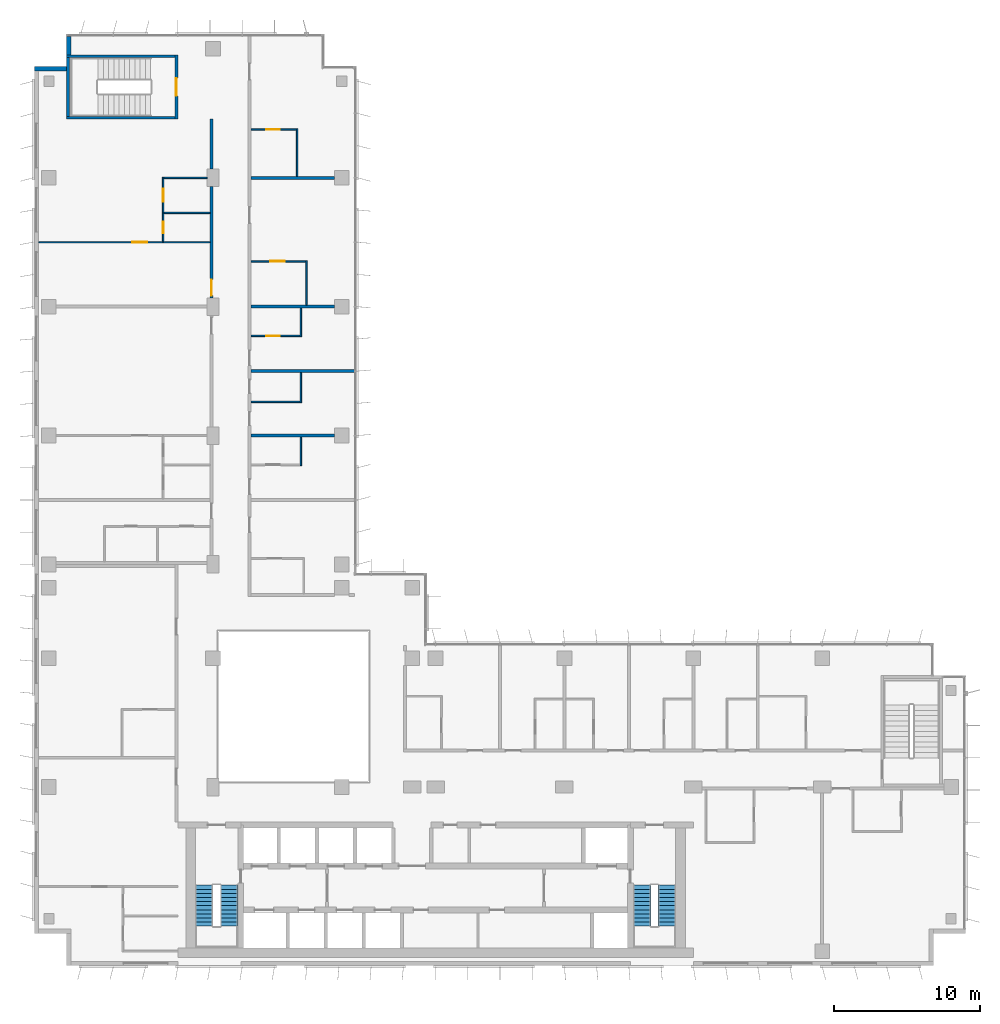
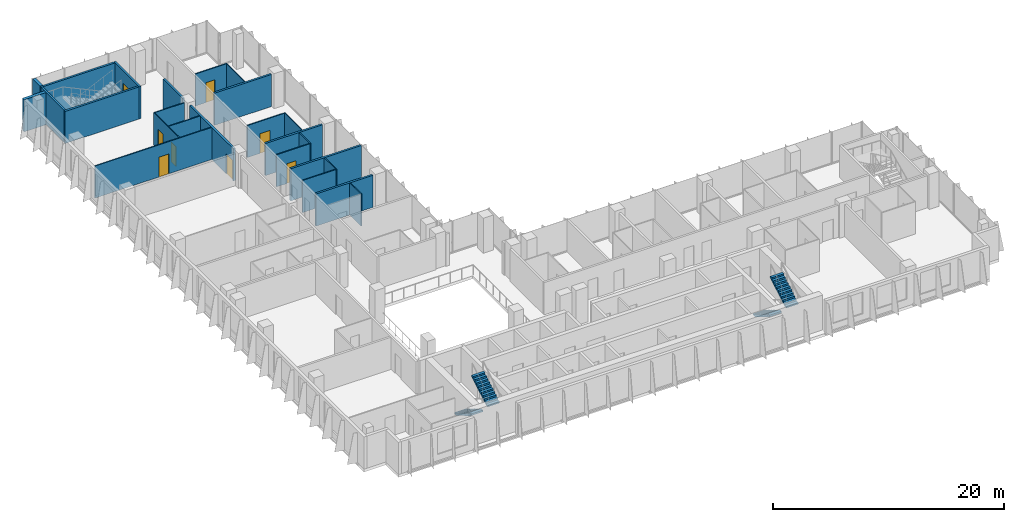
# One storey, part 17 of 21: 25 walls, 8 doors, 4 stair flights, 8 openings, 2 elements without a shape of their own.
"""IFC4 building model written with IfcOpenShell, lengths in metres."""

from ifc_helpers import new_model, si_unit, direction, frame, frame_2d, origin, place, context, subcontext, project, spatial, polyline, rectangle, outline, extrude, material, layer, layer_set, type_object, element, fill, aggregate, save


model = new_model("IFC4")

# Units and contexts
model_context = context("Model", 3, precision=1e-05, world=origin(), true_north=direction((0.0, 1.0)))
body_context = subcontext(model_context, "Body", "Model", "MODEL_VIEW")
ifc_project = project(units=[si_unit("LENGTHUNIT", "METRE"), si_unit("AREAUNIT", "SQUARE_METRE"), si_unit("VOLUMEUNIT", "CUBIC_METRE"), si_unit("PLANEANGLEUNIT", "RADIAN"), si_unit("MASSUNIT", "GRAM", prefix="KILO")], contexts=[model_context])

# Site, building, storey
site_placement = place(None, origin())
site = spatial("IfcSite", under=ifc_project, at=site_placement, CompositionType="ELEMENT")
building_placement = place(site_placement, origin())
building = spatial("IfcBuilding", under=site, at=building_placement, Name="Kemantara Hotel Tower", CompositionType="ELEMENT")
storey_placement = place(building_placement, frame((0.0, 0.0, 167.89990234375)))
storey = spatial("IfcBuildingStorey", under=building, at=storey_placement, Name="L41", CompositionType="ELEMENT", Elevation=167.89990234375)

# Walls
ifc_material_1 = material(Name="Bronze anodised aluminium cladding on insulated steel stud wall", Category="steel")
ifc_layer_1 = layer(ifc_material_1, 0.300048828125)
ifc_layer_set_1 = layer_set([ifc_layer_1], Name="Bronze anodised aluminium cladding on insulated steel stud wall")
wall_type_1 = type_object("IfcWallType", Name="BRONZE METAL-CLAD EXTERNAL WALL 300", PredefinedType="STANDARD", material=ifc_layer_set_1)
wall_1_placement = place(storey_placement, frame((2.35009765625, 63.449951171875, 0.0), z_axis=(0.0, 0.0, 1.0), x_axis=(0.0, -1.0, 0.0)))
element("IfcWall", 1, at=wall_1_placement, inside=storey, type_object=wall_type_1, Name="EXTERNAL WALL L41 T3-R03", PredefinedType="STANDARD", context=body_context, shape_type="SweptSolid", body=[
    extrude(rectangle(XDim=1.25, YDim=0.300048828125, at=frame_2d((0.625, 0.0))), origin(), (0.0, 0.0, 1.0), 3.400146484375),
])
wall_2_placement = place(storey_placement, frame((2.199951171875, 61.25, 0.0), z_axis=(0.0, 0.0, 1.0), x_axis=(-1.0, 0.0, 0.0)))
element("IfcWall", 2, at=wall_2_placement, inside=storey, type_object=wall_type_1, Name="EXTERNAL WALL L41 T3-R04", PredefinedType="STANDARD", context=body_context, shape_type="SweptSolid", body=[
    extrude(rectangle(XDim=2.199951171875, YDim=0.300048828125, at=frame_2d((1.10009765625, 0.0))), origin(), (0.0, 0.0, 1.0), 3.400146484375),
])

# Wall, opening, door
ifc_material_2 = material(Name="Gypsum board partition, steel studs and mineral wool, 200 mm", Category="steel")
ifc_layer_2 = layer(ifc_material_2, 0.199951171875)
ifc_layer_set_2 = layer_set([ifc_layer_2], Name="Gypsum board partition, steel studs and mineral wool, 200 mm")
wall_type_2 = type_object("IfcWallType", Name="CORRIDOR WALL 200", PredefinedType="PARTITIONING", material=ifc_layer_set_2)
wall_3_placement = place(storey_placement, frame((12.10009765625, 45.60009765625, 0.0), z_axis=(0.0, 0.0, 1.0), x_axis=(0.0, 1.0, 0.0)))
wall_3 = element("IfcWall", 3, at=wall_3_placement, inside=storey, type_object=wall_type_2, Name="CORRIDOR WALL 200 018", PredefinedType="PARTITIONING", context=body_context, shape_type="SweptSolid", body=[
    extrude(rectangle(XDim=7.599853515625, YDim=0.199951171875, at=frame_2d((3.7998046875, 0.0))), origin(), (0.0, 0.0, 1.0), 3.400146484375),
])
opening_1_placement = place(wall_3_placement, frame((0.14990234375, 0.0, 0.0)))
opening_1 = element("IfcOpeningElement", 4, at=opening_1_placement, cuts=wall_3, Name="Opening F19-030", PredefinedType="OPENING", context=body_context, shape_type="SweptSolid", body=[
    extrude(rectangle(XDim=1.10009765625, YDim=2.10009765625, at=frame_2d((0.550048828125, 1.050048828125))), frame((0.0, 0.10986328125, 0.0), z_axis=(0.0, -1.0, 0.0), x_axis=(1.0, 0.0, 0.0)), (0.0, 0.0, 1.0), 0.219970703125),
])
ifc_material_3 = material(Name="Hardwood veneer door leaf with steel frame", Category="steel")
door_type_1 = type_object("IfcDoorType", Name="SUITE ENTRANCE DOOR 1100 X 2100 FD30S", OperationType="NOTDEFINED", PredefinedType="DOOR", material=ifc_material_3)
door_1_placement = place(opening_1_placement, origin())
door_1 = element("IfcDoor", 5, at=door_1_placement, inside=storey, type_object=door_type_1, Name="SUITE ENTRANCE DOOR F19-030", OperationType="SINGLE_SWING_LEFT", OverallHeight=2.10009765625, OverallWidth=1.10009765625, PredefinedType="DOOR", context=body_context, shape_type="SweptSolid", body=[
    extrude(rectangle(XDim=1.10009765625, YDim=2.10009765625, at=frame_2d((0.550048828125, 1.050048828125))), frame((0.0, 0.02490234375, 0.0), z_axis=(0.0, -1.0, 0.0), x_axis=(1.0, 0.0, 0.0)), (0.0, 0.0, 1.0), 0.050048828125),
])
fill(opening_1, door_1)

# Wall
wall_4_placement = place(storey_placement, frame((12.10009765625, 54.400146484375, 0.0), z_axis=(0.0, 0.0, 1.0), x_axis=(0.0, 1.0, 0.0)))
element("IfcWall", 6, at=wall_4_placement, inside=storey, type_object=wall_type_2, Name="CORRIDOR WALL 200 019", PredefinedType="PARTITIONING", context=body_context, shape_type="SweptSolid", body=[
    extrude(rectangle(XDim=3.39990234375, YDim=0.199951171875, at=frame_2d((1.699951171875, 0.0))), origin(), (0.0, 0.0, 1.0), 3.400146484375),
])

# Wall, opening, door
ifc_material_4 = material(Name="Concrete fc 40 MPa", Category="concrete")
ifc_layer_3 = layer(ifc_material_4, 0.199951171875)
ifc_layer_set_3 = layer_set([ifc_layer_3], Name="Concrete fc 40 MPa")
wall_type_3 = type_object("IfcWallType", Name="Concrete stair wall 200 mm", PredefinedType="SHEAR", material=ifc_layer_set_3)
wall_5_placement = place(storey_placement, frame((9.699951171875, 57.800048828125, 0.0), z_axis=(0.0, 0.0, 1.0), x_axis=(0.0, 1.0, 0.0)))
wall_5 = element("IfcWall", 7, at=wall_5_placement, inside=storey, type_object=wall_type_3, Name="Stair ST4 enclosure wall with door", PredefinedType="SHEAR", context=body_context, shape_type="SweptSolid", body=[
    extrude(rectangle(XDim=4.39990234375, YDim=0.199951171875, at=frame_2d((2.199951171875, 0.0))), origin(), (0.0, 0.0, 1.0), 3.400146484375),
])
opening_2_placement = place(wall_5_placement, frame((1.60009765625, 0.0, 0.0)))
opening_2 = element("IfcOpeningElement", 8, at=opening_2_placement, cuts=wall_5, Name="Opening ST4-C", PredefinedType="OPENING", context=body_context, shape_type="SweptSolid", body=[
    extrude(rectangle(XDim=1.199951171875, YDim=2.10009765625, at=frame_2d((0.60009765625, 1.050048828125))), frame((0.0, 0.10986328125, 0.0), z_axis=(0.0, -1.0, 0.0), x_axis=(1.0, 0.0, 0.0)), (0.0, 0.0, 1.0), 0.219970703125),
])
ifc_material_5 = material(Name="Steel fire door", Category="steel")
door_type_2 = type_object("IfcDoorType", Name="Fire door FD90 1200 x 2100", OperationType="NOTDEFINED", PredefinedType="DOOR", material=ifc_material_5)
door_2_placement = place(opening_2_placement, origin())
door_2 = element("IfcDoor", 9, at=door_2_placement, inside=storey, type_object=door_type_2, Name="Stair ST4 door", OperationType="SINGLE_SWING_RIGHT", OverallHeight=2.10009765625, OverallWidth=1.199951171875, PredefinedType="DOOR", context=body_context, shape_type="SweptSolid", body=[
    extrude(rectangle(XDim=1.199951171875, YDim=2.10009765625, at=frame_2d((0.60009765625, 1.050048828125))), frame((0.0, 0.02490234375, 0.0), z_axis=(0.0, -1.0, 0.0), x_axis=(1.0, 0.0, 0.0)), (0.0, 0.0, 1.0), 0.050048828125),
])
fill(opening_2, door_2)

# Walls
for number, where, z_axis, x_axis, name in (
    (10, (2.199951171875, 62.10009765625, 0.0), (0.0, 0.0, 1.0), (1.0, 0.0, 0.0), "Stair ST4 enclosure wall N"),
    (11, (2.199951171875, 57.89990234375, 0.0), (0.0, 0.0, 1.0), (1.0, 0.0, 0.0), "Stair ST4 enclosure wall S"),
):
    element("IfcWall", number, at=place(storey_placement, frame(where, z_axis=z_axis, x_axis=x_axis)), inside=storey, type_object=wall_type_3, Name=name, PredefinedType="SHEAR", context=body_context, shape_type="SweptSolid", body=[
        extrude(rectangle(XDim=7.400146484375, YDim=0.199951171875, at=frame_2d((3.7001953125, 0.0))), origin(), (0.0, 0.0, 1.0), 3.400146484375),
    ])
wall_6_placement = place(storey_placement, frame((2.300048828125, 58.0, 0.0), z_axis=(0.0, 0.0, 1.0), x_axis=(0.0, 1.0, 0.0)))
element("IfcWall", 12, at=wall_6_placement, inside=storey, type_object=wall_type_3, Name="Stair ST4 enclosure wall W", PredefinedType="SHEAR", context=body_context, shape_type="SweptSolid", body=[
    extrude(rectangle(XDim=4.0, YDim=0.199951171875, at=frame_2d((2.0, 0.0))), origin(), (0.0, 0.0, 1.0), 3.400146484375),
])
ifc_layer_4 = layer(ifc_material_2, 0.199951171875)
ifc_layer_set_4 = layer_set([ifc_layer_4], Name="Gypsum board partition, steel studs and mineral wool, 200 mm")
wall_type_4 = type_object("IfcWallType", Name="GUEST ROOM PARTY WALL 200", PredefinedType="PARTITIONING", material=ifc_layer_set_4)
for number, where, z_axis, x_axis, name in (
    (13, (14.800048828125, 45.0, 0.0), (0.0, 0.0, 1.0), (1.0, 0.0, 0.0), "GUEST ROOM PARTY WALL 200 024"),
    (14, (14.800048828125, 36.199951171875, 0.0), (0.0, 0.0, 1.0), (1.0, 0.0, 0.0), "GUEST ROOM PARTY WALL 200 028"),
):
    element("IfcWall", number, at=place(storey_placement, frame(where, z_axis=z_axis, x_axis=x_axis)), inside=storey, type_object=wall_type_4, Name=name, PredefinedType="PARTITIONING", context=body_context, shape_type="SweptSolid", body=[
        extrude(rectangle(XDim=5.699951171875, YDim=0.199951171875, at=frame_2d((2.85009765625, 0.0))), origin(), (0.0, 0.0, 1.0), 3.400146484375),
    ])
wall_7_placement = place(storey_placement, frame((14.800048828125, 40.60009765625, 0.0), z_axis=(0.0, 0.0, 1.0), x_axis=(1.0, 0.0, 0.0)))
element("IfcWall", 15, at=wall_7_placement, inside=storey, type_object=wall_type_4, Name="GUEST ROOM PARTY WALL 200 029", PredefinedType="PARTITIONING", context=body_context, shape_type="SweptSolid", body=[
    extrude(rectangle(XDim=7.070068359375, YDim=0.199951171875, at=frame_2d((3.53515625, 0.0))), origin(), (0.0, 0.0, 1.0), 3.400146484375),
])
wall_8_placement = place(storey_placement, frame((14.800048828125, 53.800048828125, 0.0), z_axis=(0.0, 0.0, 1.0), x_axis=(1.0, 0.0, 0.0)))
element("IfcWall", 16, at=wall_8_placement, inside=storey, type_object=wall_type_4, Name="GUEST ROOM PARTY WALL 200 030", PredefinedType="PARTITIONING", context=body_context, shape_type="SweptSolid", body=[
    extrude(rectangle(XDim=5.699951171875, YDim=0.199951171875, at=frame_2d((2.85009765625, 0.0))), origin(), (0.0, 0.0, 1.0), 3.400146484375),
])

# Wall, openings, doors
ifc_material_6 = material(Name="Gypsum board partition on steel studs, 100 mm", Category="steel")
ifc_layer_5 = layer(ifc_material_6, 0.10009765625)
ifc_layer_set_5 = layer_set([ifc_layer_5], Name="Gypsum board partition on steel studs, 100 mm")
wall_type_5 = type_object("IfcWallType", Name="ROOM PARTITION 100", PredefinedType="PARTITIONING", material=ifc_layer_set_5)
wall_9_placement = place(storey_placement, frame((8.800048828125, 53.85009765625, 0.0), z_axis=(0.0, 0.0, 1.0), x_axis=(0.0, -1.0, 0.0)))
wall_9 = element("IfcWall", 17, at=wall_9_placement, inside=storey, type_object=wall_type_5, Name="ROOM PARTITION 100 059", PredefinedType="PARTITIONING", context=body_context, shape_type="SweptSolid", body=[
    extrude(rectangle(XDim=4.400146484375, YDim=0.10009765625, at=frame_2d((2.2001953125, 0.0))), origin(), (0.0, 0.0, 1.0), 3.400146484375),
])
opening_3_placement = place(wall_9_placement, frame((0.800048828125, 0.0, 0.0)))
opening_3 = element("IfcOpeningElement", 18, at=opening_3_placement, cuts=wall_9, Name="Opening F19-032", PredefinedType="OPENING", context=body_context, shape_type="SweptSolid", body=[
    extrude(rectangle(XDim=0.89990234375, YDim=2.10009765625, at=frame_2d((0.449951171875, 1.050048828125))), frame((0.0, 0.06005859375, 0.0), z_axis=(0.0, -1.0, 0.0), x_axis=(1.0, 0.0, 0.0)), (0.0, 0.0, 1.0), 0.1201171875),
])
opening_4_placement = place(wall_9_placement, frame((3.050048828125, 0.0, 0.0)))
opening_4 = element("IfcOpeningElement", 19, at=opening_4_placement, cuts=wall_9, Name="Opening F19-033", PredefinedType="OPENING", context=body_context, shape_type="SweptSolid", body=[
    extrude(rectangle(XDim=0.800048828125, YDim=2.10009765625, at=frame_2d((0.39990234375, 1.050048828125))), frame((0.0, 0.06005859375, 0.0), z_axis=(0.0, -1.0, 0.0), x_axis=(1.0, 0.0, 0.0)), (0.0, 0.0, 1.0), 0.1201171875),
])
door_type_3 = type_object("IfcDoorType", Name="BATHROOM DOOR 900 X 2100", OperationType="NOTDEFINED", PredefinedType="DOOR", material=ifc_material_3)
door_3_placement = place(opening_3_placement, origin())
door_3 = element("IfcDoor", 20, at=door_3_placement, inside=storey, type_object=door_type_3, Name="BATHROOM DOOR F19-032", OperationType="SINGLE_SWING_RIGHT", OverallHeight=2.10009765625, OverallWidth=0.89990234375, PredefinedType="DOOR", context=body_context, shape_type="SweptSolid", body=[
    extrude(rectangle(XDim=0.89990234375, YDim=2.10009765625, at=frame_2d((0.449951171875, 1.050048828125))), frame((0.0, 0.02490234375, 0.0), z_axis=(0.0, -1.0, 0.0), x_axis=(1.0, 0.0, 0.0)), (0.0, 0.0, 1.0), 0.050048828125),
])
fill(opening_3, door_3)
door_type_4 = type_object("IfcDoorType", Name="WARDROBE DOOR 800 X 2100", OperationType="NOTDEFINED", PredefinedType="DOOR", material=ifc_material_3)
door_4_placement = place(opening_4_placement, origin())
door_4 = element("IfcDoor", 21, at=door_4_placement, inside=storey, type_object=door_type_4, Name="WARDROBE DOOR F19-033", OperationType="SINGLE_SWING_RIGHT", OverallHeight=2.10009765625, OverallWidth=0.800048828125, PredefinedType="DOOR", context=body_context, shape_type="SweptSolid", body=[
    extrude(rectangle(XDim=0.800048828125, YDim=2.10009765625, at=frame_2d((0.39990234375, 1.050048828125))), frame((0.0, 0.02490234375, 0.0), z_axis=(0.0, -1.0, 0.0), x_axis=(1.0, 0.0, 0.0)), (0.0, 0.0, 1.0), 0.050048828125),
])
fill(opening_4, door_4)

# Wall, opening, door
wall_10_placement = place(storey_placement, frame((0.31005859375, 49.39990234375, 0.0), z_axis=(0.0, 0.0, 1.0), x_axis=(1.0, 0.0, 0.0)))
wall_10 = element("IfcWall", 22, at=wall_10_placement, inside=storey, type_object=wall_type_5, Name="ROOM PARTITION 100 063", PredefinedType="PARTITIONING", context=body_context, shape_type="SweptSolid", body=[
    extrude(rectangle(XDim=11.68994140625, YDim=0.10009765625, at=frame_2d((5.844970703125, 0.0))), origin(), (0.0, 0.0, 1.0), 3.400146484375),
])
opening_5_placement = place(wall_10_placement, frame((6.389892578125, 0.0, 0.0)))
opening_5 = element("IfcOpeningElement", 23, at=opening_5_placement, cuts=wall_10, Name="Opening F19-031", PredefinedType="OPENING", context=body_context, shape_type="SweptSolid", body=[
    extrude(rectangle(XDim=1.0, YDim=2.10009765625, at=frame_2d((0.5, 1.050048828125))), frame((0.0, 0.06005859375, 0.0), z_axis=(0.0, -1.0, 0.0), x_axis=(1.0, 0.0, 0.0)), (0.0, 0.0, 1.0), 0.1201171875),
])
door_type_5 = type_object("IfcDoorType", Name="INTERNAL DOOR 1000 X 2100", OperationType="NOTDEFINED", PredefinedType="DOOR", material=ifc_material_3)
door_5_placement = place(opening_5_placement, origin())
door_5 = element("IfcDoor", 24, at=door_5_placement, inside=storey, type_object=door_type_5, Name="INTERNAL DOOR F19-031", OperationType="SINGLE_SWING_RIGHT", OverallHeight=2.10009765625, OverallWidth=1.0, PredefinedType="DOOR", context=body_context, shape_type="SweptSolid", body=[
    extrude(rectangle(XDim=1.0, YDim=2.10009765625, at=frame_2d((0.5, 1.050048828125))), frame((0.0, 0.02490234375, 0.0), z_axis=(0.0, -1.0, 0.0), x_axis=(1.0, 0.0, 0.0)), (0.0, 0.0, 1.0), 0.050048828125),
])
fill(opening_5, door_5)

# Walls
wall_11_placement = place(storey_placement, frame((8.85009765625, 53.800048828125, 0.0), z_axis=(0.0, 0.0, 1.0), x_axis=(1.0, 0.0, 0.0)))
element("IfcWall", 25, at=wall_11_placement, inside=storey, type_object=wall_type_5, Name="ROOM PARTITION 100 064", PredefinedType="PARTITIONING", context=body_context, shape_type="SweptSolid", body=[
    extrude(rectangle(XDim=2.94970703125, YDim=0.10009765625, at=frame_2d((1.474853515625, 0.0))), origin(), (0.0, 0.0, 1.0), 3.400146484375),
])
wall_12_placement = place(storey_placement, frame((8.85009765625, 51.39990234375, 0.0), z_axis=(0.0, 0.0, 1.0), x_axis=(1.0, 0.0, 0.0)))
element("IfcWall", 26, at=wall_12_placement, inside=storey, type_object=wall_type_5, Name="ROOM PARTITION 100 065", PredefinedType="PARTITIONING", context=body_context, shape_type="SweptSolid", body=[
    extrude(rectangle(XDim=3.14990234375, YDim=0.10009765625, at=frame_2d((1.574951171875, 0.0))), origin(), (0.0, 0.0, 1.0), 3.400146484375),
])
wall_13_placement = place(storey_placement, frame((18.199951171875, 34.14990234375, 0.0), z_axis=(0.0, 0.0, 1.0), x_axis=(0.0, 1.0, 0.0)))
element("IfcWall", 27, at=wall_13_placement, inside=storey, type_object=wall_type_5, Name="ROOM PARTITION 100 068", PredefinedType="PARTITIONING", context=body_context, shape_type="SweptSolid", body=[
    extrude(rectangle(XDim=1.9501953125, YDim=0.10009765625, at=frame_2d((0.97509765625, 0.0))), origin(), (0.0, 0.0, 1.0), 3.400146484375),
])
wall_14_placement = place(storey_placement, frame((18.199951171875, 38.449951171875, 0.0), z_axis=(0.0, 0.0, 1.0), x_axis=(0.0, 1.0, 0.0)))
element("IfcWall", 28, at=wall_14_placement, inside=storey, type_object=wall_type_5, Name="ROOM PARTITION 100 069", PredefinedType="PARTITIONING", context=body_context, shape_type="SweptSolid", body=[
    extrude(rectangle(XDim=2.050048828125, YDim=0.10009765625, at=frame_2d((1.02490234375, 0.0))), origin(), (0.0, 0.0, 1.0), 3.400146484375),
])
wall_15_placement = place(storey_placement, frame((18.199951171875, 42.949951171875, 0.0), z_axis=(0.0, 0.0, 1.0), x_axis=(0.0, 1.0, 0.0)))
element("IfcWall", 29, at=wall_15_placement, inside=storey, type_object=wall_type_5, Name="ROOM PARTITION 100 070", PredefinedType="PARTITIONING", context=body_context, shape_type="SweptSolid", body=[
    extrude(rectangle(XDim=1.949951171875, YDim=0.10009765625, at=frame_2d((0.97509765625, 0.0))), origin(), (0.0, 0.0, 1.0), 3.400146484375),
])
wall_16_placement = place(storey_placement, frame((14.800048828125, 38.5, 0.0), z_axis=(0.0, 0.0, 1.0), x_axis=(1.0, 0.0, 0.0)))
element("IfcWall", 30, at=wall_16_placement, inside=storey, type_object=wall_type_5, Name="ROOM PARTITION 100 071", PredefinedType="PARTITIONING", context=body_context, shape_type="SweptSolid", body=[
    extrude(rectangle(XDim=3.349853515625, YDim=0.10009765625, at=frame_2d((1.6748046875, 0.0))), origin(), (0.0, 0.0, 1.0), 3.400146484375),
])

# Wall, opening, door
wall_17_placement = place(storey_placement, frame((14.800048828125, 43.0, 0.0), z_axis=(0.0, 0.0, 1.0), x_axis=(1.0, 0.0, 0.0)))
wall_17 = element("IfcWall", 31, at=wall_17_placement, inside=storey, type_object=wall_type_5, Name="ROOM PARTITION 100 072", PredefinedType="PARTITIONING", context=body_context, shape_type="SweptSolid", body=[
    extrude(rectangle(XDim=3.349853515625, YDim=0.10009765625, at=frame_2d((1.6748046875, 0.0))), origin(), (0.0, 0.0, 1.0), 3.400146484375),
])
opening_6_placement = place(wall_17_placement, frame((1.050048828125, 0.0, 0.0)))
opening_6 = element("IfcOpeningElement", 32, at=opening_6_placement, cuts=wall_17, Name="Opening F19-041", PredefinedType="OPENING", context=body_context, shape_type="SweptSolid", body=[
    extrude(rectangle(XDim=0.89990234375, YDim=2.10009765625, at=frame_2d((0.449951171875, 1.050048828125))), frame((0.0, 0.06005859375, 0.0), z_axis=(0.0, -1.0, 0.0), x_axis=(1.0, 0.0, 0.0)), (0.0, 0.0, 1.0), 0.1201171875),
])
door_6_placement = place(opening_6_placement, origin())
door_6 = element("IfcDoor", 33, at=door_6_placement, inside=storey, type_object=door_type_3, Name="BATHROOM DOOR F19-041", OperationType="SINGLE_SWING_LEFT", OverallHeight=2.10009765625, OverallWidth=0.89990234375, PredefinedType="DOOR", context=body_context, shape_type="SweptSolid", body=[
    extrude(rectangle(XDim=0.89990234375, YDim=2.10009765625, at=frame_2d((0.449951171875, 1.050048828125))), frame((0.0, 0.02490234375, 0.0), z_axis=(0.0, -1.0, 0.0), x_axis=(1.0, 0.0, 0.0)), (0.0, 0.0, 1.0), 0.050048828125),
])
fill(opening_6, door_6)

# Wall
wall_18_placement = place(storey_placement, frame((18.60009765625, 45.10009765625, 0.0), z_axis=(0.0, 0.0, 1.0), x_axis=(0.0, 1.0, 0.0)))
element("IfcWall", 34, at=wall_18_placement, inside=storey, type_object=wall_type_5, Name="ROOM PARTITION 100 073", PredefinedType="PARTITIONING", context=body_context, shape_type="SweptSolid", body=[
    extrude(rectangle(XDim=3.0498046875, YDim=0.10009765625, at=frame_2d((1.52490234375, 0.0))), origin(), (0.0, 0.0, 1.0), 3.400146484375),
])

# Wall, opening, door
wall_19_placement = place(storey_placement, frame((18.550048828125, 48.10009765625, 0.0), z_axis=(0.0, 0.0, 1.0), x_axis=(-1.0, 0.0, 0.0)))
wall_19 = element("IfcWall", 35, at=wall_19_placement, inside=storey, type_object=wall_type_5, Name="ROOM PARTITION 100 074", PredefinedType="PARTITIONING", context=body_context, shape_type="SweptSolid", body=[
    extrude(rectangle(XDim=3.75, YDim=0.10009765625, at=frame_2d((1.875, 0.0))), origin(), (0.0, 0.0, 1.0), 3.400146484375),
])
opening_7_placement = place(wall_19_placement, frame((1.449951171875, 0.0, 0.0)))
opening_7 = element("IfcOpeningElement", 36, at=opening_7_placement, cuts=wall_19, Name="Opening F19-043", PredefinedType="OPENING", context=body_context, shape_type="SweptSolid", body=[
    extrude(rectangle(XDim=1.0, YDim=2.10009765625, at=frame_2d((0.5, 1.050048828125))), frame((0.0, 0.06005859375, 0.0), z_axis=(0.0, -1.0, 0.0), x_axis=(1.0, 0.0, 0.0)), (0.0, 0.0, 1.0), 0.1201171875),
])
door_type_6 = type_object("IfcDoorType", Name="BATHROOM DOOR 1000 X 2100", OperationType="NOTDEFINED", PredefinedType="DOOR", material=ifc_material_3)
door_7_placement = place(opening_7_placement, origin())
door_7 = element("IfcDoor", 37, at=door_7_placement, inside=storey, type_object=door_type_6, Name="BATHROOM DOOR F19-043", OperationType="SINGLE_SWING_RIGHT", OverallHeight=2.10009765625, OverallWidth=1.0, PredefinedType="DOOR", context=body_context, shape_type="SweptSolid", body=[
    extrude(rectangle(XDim=1.0, YDim=2.10009765625, at=frame_2d((0.5, 1.050048828125))), frame((0.0, 0.02490234375, 0.0), z_axis=(0.0, -1.0, 0.0), x_axis=(1.0, 0.0, 0.0)), (0.0, 0.0, 1.0), 0.050048828125),
])
fill(opening_7, door_7)

# Wall
wall_20_placement = place(storey_placement, frame((17.949951171875, 53.89990234375, 0.0), z_axis=(0.0, 0.0, 1.0), x_axis=(0.0, 1.0, 0.0)))
element("IfcWall", 38, at=wall_20_placement, inside=storey, type_object=wall_type_5, Name="ROOM PARTITION 100 075", PredefinedType="PARTITIONING", context=body_context, shape_type="SweptSolid", body=[
    extrude(rectangle(XDim=3.25, YDim=0.10009765625, at=frame_2d((1.625, 0.0))), origin(), (0.0, 0.0, 1.0), 3.400146484375),
])

# Wall, opening, door
wall_21_placement = place(storey_placement, frame((17.89990234375, 57.10009765625, 0.0), z_axis=(0.0, 0.0, 1.0), x_axis=(-1.0, 0.0, 0.0)))
wall_21 = element("IfcWall", 39, at=wall_21_placement, inside=storey, type_object=wall_type_5, Name="ROOM PARTITION 100 076", PredefinedType="PARTITIONING", context=body_context, shape_type="SweptSolid", body=[
    extrude(rectangle(XDim=3.099853515625, YDim=0.10009765625, at=frame_2d((1.5498046875, 0.0))), origin(), (0.0, 0.0, 1.0), 3.400146484375),
])
opening_8_placement = place(wall_21_placement, frame((1.14990234375, 0.0, 0.0)))
opening_8 = element("IfcOpeningElement", 40, at=opening_8_placement, cuts=wall_21, Name="Opening F19-045", PredefinedType="OPENING", context=body_context, shape_type="SweptSolid", body=[
    extrude(rectangle(XDim=0.89990234375, YDim=2.10009765625, at=frame_2d((0.449951171875, 1.050048828125))), frame((0.0, 0.06005859375, 0.0), z_axis=(0.0, -1.0, 0.0), x_axis=(1.0, 0.0, 0.0)), (0.0, 0.0, 1.0), 0.1201171875),
])
door_8_placement = place(opening_8_placement, origin())
door_8 = element("IfcDoor", 41, at=door_8_placement, inside=storey, type_object=door_type_3, Name="BATHROOM DOOR F19-045", OperationType="SINGLE_SWING_RIGHT", OverallHeight=2.10009765625, OverallWidth=0.89990234375, PredefinedType="DOOR", context=body_context, shape_type="SweptSolid", body=[
    extrude(rectangle(XDim=0.89990234375, YDim=2.10009765625, at=frame_2d((0.449951171875, 1.050048828125))), frame((0.0, 0.02490234375, 0.0), z_axis=(0.0, -1.0, 0.0), x_axis=(1.0, 0.0, 0.0)), (0.0, 0.0, 1.0), 0.050048828125),
])
fill(opening_8, door_8)

# Stair, stair flights
stair_type = type_object("IfcStairType", Name="Stair 1200 wide 22 risers of 168 x 280 mm", PredefinedType="HALF_TURN_STAIR", material=ifc_material_4)
stair_1_placement = place(storey_placement, origin())
stair_1 = element("IfcStair", 42, at=stair_1_placement, inside=storey, type_object=stair_type, Name="L41 Exit stair ST1", PredefinedType="HALF_TURN_STAIR")
stair_flight_type = type_object("IfcStairFlightType", Name="Stair flight 1200 wide 168 x 280 mm", PredefinedType="STRAIGHT", material=ifc_material_4)
stair_flight_1_placement = place(storey_placement, frame((11.60009765625, 5.5, 0.0), z_axis=(0.0, 0.0, 1.0), x_axis=(0.0, -1.0, 0.0)))
stair_flight_1 = element("IfcStairFlight", 43, at=stair_flight_1_placement, type_object=stair_flight_type, Name="ST1 flight 1", NumberOfRisers=11, NumberOfTreads=10, PredefinedType="STRAIGHT", RiserHeight=0.168181818, TreadLength=0.28, context=body_context, shape_type="SweptSolid", body=[
    extrude(outline(polyline([(0.0, 0.0), (0.0, 0.168212890625), (0.280029296875, 0.168212890625), (0.280029296875, 0.33642578125), (0.56005859375, 0.33642578125), (0.56005859375, 0.504638671875), (0.840087890625, 0.504638671875), (0.840087890625, 0.672607421875), (1.1201171875, 0.672607421875), (1.1201171875, 0.8408203125), (1.39990234375, 0.8408203125), (1.39990234375, 1.009033203125), (1.679931640625, 1.009033203125), (1.679931640625, 1.17724609375), (1.9599609375, 1.17724609375), (1.9599609375, 1.345458984375), (2.239990234375, 1.345458984375), (2.239990234375, 1.513671875), (2.52001953125, 1.513671875), (2.52001953125, 1.681884765625), (2.800048828125, 1.681884765625), (2.800048828125, 1.85009765625), (2.800048828125, 1.5068359375), (0.291015625, 0.0), (0.0, 0.0)])), frame((0.0, 0.60009765625, 0.0), z_axis=(0.0, -1.0, 0.0), x_axis=(1.0, 0.0, 0.0)), (0.0, 0.0, 1.0), 1.199951171875),
])
stair_flight_2_placement = place(storey_placement, frame((13.300048828125, 2.699951171875, 1.85009765625), z_axis=(0.0, 0.0, 1.0), x_axis=(0.0, 1.0, 0.0)))
stair_flight_2 = element("IfcStairFlight", 44, at=stair_flight_2_placement, type_object=stair_flight_type, Name="ST1 flight 2", NumberOfRisers=11, NumberOfTreads=10, PredefinedType="STRAIGHT", RiserHeight=0.168181818, TreadLength=0.28, context=body_context, shape_type="SweptSolid", body=[
    extrude(outline(polyline([(0.0, 0.0), (0.0, 0.168212890625), (0.280029296875, 0.168212890625), (0.280029296875, 0.33642578125), (0.56005859375, 0.33642578125), (0.56005859375, 0.504638671875), (0.840087890625, 0.504638671875), (0.840087890625, 0.672607421875), (1.1201171875, 0.672607421875), (1.1201171875, 0.8408203125), (1.39990234375, 0.8408203125), (1.39990234375, 1.009033203125), (1.679931640625, 1.009033203125), (1.679931640625, 1.17724609375), (1.9599609375, 1.17724609375), (1.9599609375, 1.345458984375), (2.239990234375, 1.345458984375), (2.239990234375, 1.513671875), (2.52001953125, 1.513671875), (2.52001953125, 1.681884765625), (2.800048828125, 1.681884765625), (2.800048828125, 1.85009765625), (2.800048828125, 1.5068359375), (0.291015625, 0.0), (0.0, 0.0)])), frame((0.0, 0.60009765625, 0.0), z_axis=(0.0, -1.0, 0.0), x_axis=(1.0, 0.0, 0.0)), (0.0, 0.0, 1.0), 1.199951171875),
])
aggregate(stair_1, [stair_flight_1, stair_flight_2])

stair_2_placement = place(storey_placement, origin())
stair_2 = element("IfcStair", 45, at=stair_2_placement, inside=storey, type_object=stair_type, Name="L41 Exit stair ST2", PredefinedType="HALF_TURN_STAIR")
stair_flight_3_placement = place(storey_placement, frame((41.5, 5.5, 0.0), z_axis=(0.0, 0.0, 1.0), x_axis=(0.0, -1.0, 0.0)))
stair_flight_3 = element("IfcStairFlight", 46, at=stair_flight_3_placement, type_object=stair_flight_type, Name="ST2 flight 1", NumberOfRisers=11, NumberOfTreads=10, PredefinedType="STRAIGHT", RiserHeight=0.168181818, TreadLength=0.28, context=body_context, shape_type="SweptSolid", body=[
    extrude(outline(polyline([(0.0, 0.0), (0.0, 0.168212890625), (0.280029296875, 0.168212890625), (0.280029296875, 0.33642578125), (0.56005859375, 0.33642578125), (0.56005859375, 0.504638671875), (0.840087890625, 0.504638671875), (0.840087890625, 0.672607421875), (1.1201171875, 0.672607421875), (1.1201171875, 0.8408203125), (1.39990234375, 0.8408203125), (1.39990234375, 1.009033203125), (1.679931640625, 1.009033203125), (1.679931640625, 1.17724609375), (1.9599609375, 1.17724609375), (1.9599609375, 1.345458984375), (2.239990234375, 1.345458984375), (2.239990234375, 1.513671875), (2.52001953125, 1.513671875), (2.52001953125, 1.681884765625), (2.800048828125, 1.681884765625), (2.800048828125, 1.85009765625), (2.800048828125, 1.5068359375), (0.291015625, 0.0), (0.0, 0.0)])), frame((0.0, 0.60009765625, 0.0), z_axis=(0.0, -1.0, 0.0), x_axis=(1.0, 0.0, 0.0)), (0.0, 0.0, 1.0), 1.199951171875),
])
stair_flight_4_placement = place(storey_placement, frame((43.199951171875, 2.699951171875, 1.85009765625), z_axis=(0.0, 0.0, 1.0), x_axis=(0.0, 1.0, 0.0)))
stair_flight_4 = element("IfcStairFlight", 47, at=stair_flight_4_placement, type_object=stair_flight_type, Name="ST2 flight 2", NumberOfRisers=11, NumberOfTreads=10, PredefinedType="STRAIGHT", RiserHeight=0.168181818, TreadLength=0.28, context=body_context, shape_type="SweptSolid", body=[
    extrude(outline(polyline([(0.0, 0.0), (0.0, 0.168212890625), (0.280029296875, 0.168212890625), (0.280029296875, 0.33642578125), (0.56005859375, 0.33642578125), (0.56005859375, 0.504638671875), (0.840087890625, 0.504638671875), (0.840087890625, 0.672607421875), (1.1201171875, 0.672607421875), (1.1201171875, 0.8408203125), (1.39990234375, 0.8408203125), (1.39990234375, 1.009033203125), (1.679931640625, 1.009033203125), (1.679931640625, 1.17724609375), (1.9599609375, 1.17724609375), (1.9599609375, 1.345458984375), (2.239990234375, 1.345458984375), (2.239990234375, 1.513671875), (2.52001953125, 1.513671875), (2.52001953125, 1.681884765625), (2.800048828125, 1.681884765625), (2.800048828125, 1.85009765625), (2.800048828125, 1.5068359375), (0.291015625, 0.0), (0.0, 0.0)])), frame((0.0, 0.60009765625, 0.0), z_axis=(0.0, -1.0, 0.0), x_axis=(1.0, 0.0, 0.0)), (0.0, 0.0, 1.0), 1.199951171875),
])
aggregate(stair_2, [stair_flight_3, stair_flight_4])

save(model, "model.ifc")
